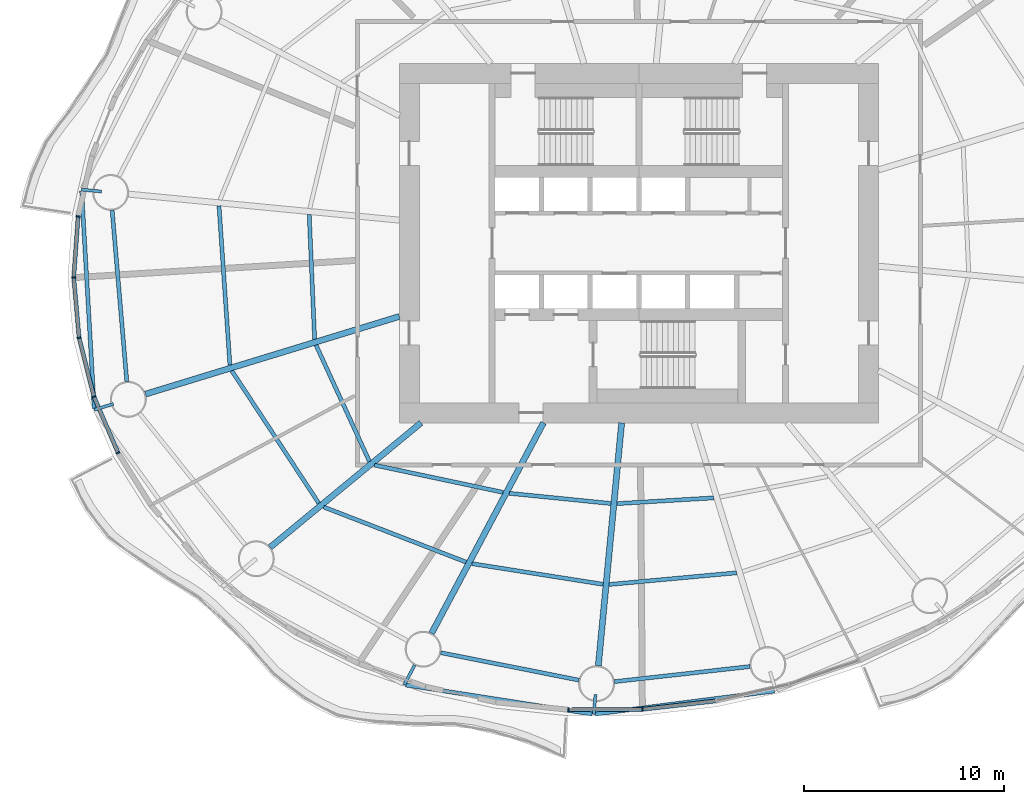
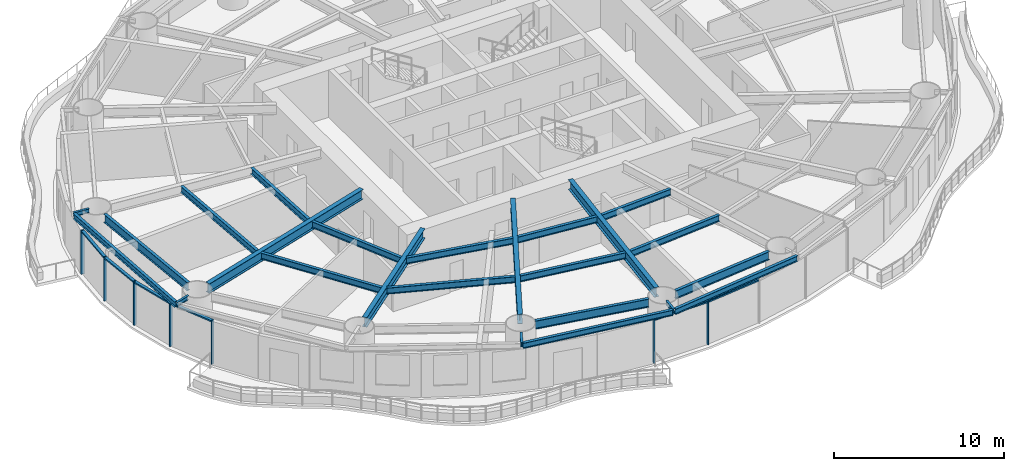
# One storey, part 2 of 16: 24 beams, 13 members, 6 elements without a shape of their own.
"""IFC4 building model written with IfcOpenShell, lengths in metres."""

from ifc_helpers import new_model, si_unit, direction, frame, origin, origin_2d, place, context, subcontext, project, spatial, rectangle, i_section, extrude, material, material_profile, profile_set, type_object, element, aggregate, save


model = new_model("IFC4")

# Units and contexts
model_context = context("Model", 3, precision=1e-05, world=origin(), true_north=direction((0.0, 1.0)))
body_context = subcontext(model_context, "Body", "Model", "MODEL_VIEW")
ifc_project = project(units=[si_unit("LENGTHUNIT", "METRE"), si_unit("AREAUNIT", "SQUARE_METRE"), si_unit("VOLUMEUNIT", "CUBIC_METRE"), si_unit("PLANEANGLEUNIT", "RADIAN"), si_unit("MASSUNIT", "GRAM", prefix="KILO")], contexts=[model_context])

# Site, building, storey
site_placement = place(None, origin())
site = spatial("IfcSite", under=ifc_project, at=site_placement, CompositionType="ELEMENT")
building_placement = place(site_placement, origin())
building = spatial("IfcBuilding", under=site, at=building_placement, Name="Vermilion Reach Broadcast Tower", CompositionType="ELEMENT")
storey_placement = place(building_placement, frame((0.0, 0.0, 73.0)))
storey = spatial("IfcBuildingStorey", under=building, at=storey_placement, Name="L15", CompositionType="ELEMENT", Elevation=73.0)

# Beams
ifc_material_1 = material(Name="Steel S355J2", Category="steel")
ifc_material_profile_1 = material_profile(ifc_material_1, i_section(OverallWidth=0.199951171875, OverallDepth=0.39990234375, WebThickness=0.008056640625, FlangeThickness=0.012939453125, at=origin_2d()), Name="S355J2 HN 400x200x8x13")
ifc_profile_set_1 = profile_set([ifc_material_profile_1], Name="Steel S355J2")
beam_type_1 = type_object("IfcBeamType", Name="EB1 HN 400x200x8x13", PredefinedType="BEAM", material=ifc_profile_set_1)
beam_1_placement = place(storey_placement, frame((-33.9150390625, 2.607666015625, 3.35009765625), z_axis=(0.057702623398, -0.998333815541, 0.0), x_axis=(0.998333815541, 0.057702623398, 0.0)))
element("IfcBeam", 1, at=beam_1_placement, inside=storey, type_object=beam_type_1, Name="Edge beam EB1-08", PredefinedType="BEAM", context=body_context, shape_type="SweptSolid", body=[
    extrude(i_section(OverallWidth=0.199951171875, OverallDepth=0.39990234375, WebThickness=0.008056640625, FlangeThickness=0.012939453125, at=origin_2d()), origin(), (0.0, 0.0, 1.0), 10.894775390625),
])
beam_2_placement = place(storey_placement, frame((-17.6787109375, -22.13330078125, 3.35009765625), z_axis=(0.988099806687, -0.153814082663, 0.0), x_axis=(0.153814082663, 0.988099806687, 0.0)))
element("IfcBeam", 2, at=beam_2_placement, inside=storey, type_object=beam_type_1, Name="Edge beam EB1-11", PredefinedType="BEAM", context=body_context, shape_type="SweptSolid", body=[
    extrude(i_section(OverallWidth=0.199951171875, OverallDepth=0.39990234375, WebThickness=0.008056640625, FlangeThickness=0.012939453125, at=origin_2d()), origin(), (0.0, 0.0, 1.0), 9.448974609375),
])
beam_3_placement = place(storey_placement, frame((-8.19189453125, -23.58837890625, 3.35009765625), z_axis=(0.991822756074, 0.127622962412, 0.0), x_axis=(-0.127622962412, 0.991822756074, 0.0)))
element("IfcBeam", 3, at=beam_3_placement, inside=storey, type_object=beam_type_1, Name="Edge beam EB1-12", PredefinedType="BEAM", context=body_context, shape_type="SweptSolid", body=[
    extrude(i_section(OverallWidth=0.199951171875, OverallDepth=0.39990234375, WebThickness=0.008056640625, FlangeThickness=0.012939453125, at=origin_2d()), origin(), (0.0, 0.0, 1.0), 9.05029296875),
])
ifc_material_2 = material(Name="Steel S355J2", Category="steel")
ifc_material_profile_2 = material_profile(ifc_material_2, i_section(OverallWidth=0.300048828125, OverallDepth=0.699951171875, WebThickness=0.012939453125, FlangeThickness=0.02392578125, at=origin_2d()), Name="S355J2 HN 700x300x13x24")
ifc_profile_set_2 = profile_set([ifc_material_profile_2], Name="Steel S355J2")
beam_type_2 = type_object("IfcBeamType", Name="G1 HN 700x300x13x24", PredefinedType="BEAM", material=ifc_profile_set_2)
beam_4_placement = place(storey_placement, frame((-18.0, -3.671142578125, 3.199951171875), z_axis=(-0.956255735186, -0.292531996409, 0.0), x_axis=(0.292531996409, -0.956255735186, 0.0)))
element("IfcBeam", 4, at=beam_4_placement, inside=storey, type_object=beam_type_2, Name="Girder G1-09", PredefinedType="BEAM", context=body_context, shape_type="SweptSolid", body=[
    extrude(i_section(OverallWidth=0.300048828125, OverallDepth=0.699951171875, WebThickness=0.012939453125, FlangeThickness=0.02392578125, at=origin_2d()), origin(), (0.0, 0.0, 1.0), 13.29638671875),
])
beam_5_placement = place(storey_placement, frame((-16.9140625, -9.0, 3.199951171875), z_axis=(-0.771514256373, -0.636212034005, 0.0), x_axis=(0.636212034005, -0.771514256373, 0.0)))
element("IfcBeam", 5, at=beam_5_placement, inside=storey, type_object=beam_type_2, Name="Girder G1-10", PredefinedType="BEAM", context=body_context, shape_type="SweptSolid", body=[
    extrude(i_section(OverallWidth=0.300048828125, OverallDepth=0.699951171875, WebThickness=0.012939453125, FlangeThickness=0.02392578125, at=origin_2d()), origin(), (0.0, 0.0, 1.0), 9.796142578125),
])
beam_6_placement = place(storey_placement, frame((-10.783447265625, -9.0, 3.199951171875), z_axis=(-0.469312182262, -0.883032318537, 0.0), x_axis=(0.883032318537, -0.469312182262, 0.0)))
element("IfcBeam", 6, at=beam_6_placement, inside=storey, type_object=beam_type_2, Name="Girder G1-11", PredefinedType="BEAM", context=body_context, shape_type="SweptSolid", body=[
    extrude(i_section(OverallWidth=0.300048828125, OverallDepth=0.699951171875, WebThickness=0.012939453125, FlangeThickness=0.02392578125, at=origin_2d()), origin(), (0.0, 0.0, 1.0), 11.94091796875),
])
beam_7_placement = place(storey_placement, frame((-6.864990234375, -9.0, 3.199951171875), z_axis=(-0.09566673912, -0.995413419151, 0.0), x_axis=(0.995413419151, -0.09566673912, 0.0)))
element("IfcBeam", 7, at=beam_7_placement, inside=storey, type_object=beam_type_2, Name="Girder G1-12", PredefinedType="BEAM", context=body_context, shape_type="SweptSolid", body=[
    extrude(i_section(OverallWidth=0.300048828125, OverallDepth=0.699951171875, WebThickness=0.012939453125, FlangeThickness=0.02392578125, at=origin_2d()), origin(), (0.0, 0.0, 1.0), 12.22412109375),
])
ifc_material_3 = material(Name="Steel S355J2", Category="steel")
ifc_material_profile_3 = material_profile(ifc_material_3, i_section(OverallWidth=0.14990234375, OverallDepth=0.300048828125, WebThickness=0.006591796875, FlangeThickness=0.009033203125, at=origin_2d()), Name="S355J2 HN 300x150x6.5x9")
ifc_profile_set_3 = profile_set([ifc_material_profile_3], Name="Steel S355J2")
beam_type_3 = type_object("IfcBeamType", Name="GS1 HN 300x150x6.5x9", PredefinedType="BEAM", material=ifc_profile_set_3)
for number, where, z_axis, x_axis, name in (
    (8, (-32.924072265625, 2.587646484375, 3.39990234375), (-0.995409476419, 0.095707754417, 0.0), (-0.095707754417, -0.995409476419, 0.0), "Cantilever stub GS1-08"),
    (9, (-32.32568359375, -8.0537109375, 3.39990234375), (-0.95627383467, -0.292472824594, 0.0), (0.292472824594, -0.95627383467, 0.0), "Cantilever stub GS1-09"),
):
    element("IfcBeam", number, at=place(storey_placement, frame(where, z_axis=z_axis, x_axis=x_axis)), inside=storey, type_object=beam_type_3, Name=name, PredefinedType="BEAM", context=body_context, shape_type="SweptSolid", body=[
        extrude(i_section(OverallWidth=0.14990234375, OverallDepth=0.300048828125, WebThickness=0.006591796875, FlangeThickness=0.009033203125, at=origin_2d()), origin(), (0.0, 0.0, 1.0), 1.0),
    ])
beam_8_placement = place(storey_placement, frame((-17.232177734375, -21.1337890625, 3.39990234375), z_axis=(-0.469431911588, -0.882968674633, 0.0), x_axis=(0.882968674633, -0.469431911588, 0.0)))
element("IfcBeam", 10, at=beam_8_placement, inside=storey, type_object=beam_type_3, Name="Cantilever stub GS1-11", PredefinedType="BEAM", context=body_context, shape_type="SweptSolid", body=[
    extrude(i_section(OverallWidth=0.14990234375, OverallDepth=0.300048828125, WebThickness=0.006591796875, FlangeThickness=0.009033203125, at=origin_2d()), origin(), (0.0, 0.0, 1.0), 1.1181640625),
])
beam_9_placement = place(storey_placement, frame((-8.17236328125, -22.602783203125, 3.39990234375), z_axis=(-0.095707754417, -0.995409476419, 0.0), x_axis=(0.995409476419, -0.095707754417, 0.0)))
element("IfcBeam", 11, at=beam_9_placement, inside=storey, type_object=beam_type_3, Name="Cantilever stub GS1-12", PredefinedType="BEAM", context=body_context, shape_type="SweptSolid", body=[
    extrude(i_section(OverallWidth=0.14990234375, OverallDepth=0.300048828125, WebThickness=0.006591796875, FlangeThickness=0.009033203125, at=origin_2d()), origin(), (0.0, 0.0, 1.0), 1.0),
])
ifc_material_4 = material(Name="Steel S355J2", Category="steel")
ifc_material_profile_4 = material_profile(ifc_material_4, i_section(OverallWidth=0.199951171875, OverallDepth=0.60009765625, WebThickness=0.010986328125, FlangeThickness=0.01708984375, at=origin_2d()), Name="S355J2 HN 600x200x11x17")
ifc_profile_set_4 = profile_set([ifc_material_profile_4], Name="Steel S355J2")
beam_type_4 = type_object("IfcBeamType", Name="RB1 HN 600x200x11x17", PredefinedType="BEAM", material=ifc_profile_set_4)
beam_10_placement = place(storey_placement, frame((-32.38720703125, 1.646728515625, 3.25), z_axis=(0.085395508608, -0.996347131832, 0.0), x_axis=(0.996347131832, 0.085395508608, 0.0)))
element("IfcBeam", 12, at=beam_10_placement, inside=storey, type_object=beam_type_4, Name="Ring beam RB1-08", PredefinedType="BEAM", context=body_context, shape_type="SweptSolid", body=[
    extrude(i_section(OverallWidth=0.199951171875, OverallDepth=0.60009765625, WebThickness=0.010986328125, FlangeThickness=0.01708984375, at=origin_2d()), origin(), (0.0, 0.0, 1.0), 8.60546875),
])
beam_11_placement = place(storey_placement, frame((-15.927001953125, -20.51416015625, 3.25), z_axis=(0.980857717995, -0.194725799651, 0.0), x_axis=(0.194725799651, 0.980857717995, 0.0)))
element("IfcBeam", 13, at=beam_11_placement, inside=storey, type_object=beam_type_4, Name="Ring beam RB1-11", PredefinedType="BEAM", context=body_context, shape_type="SweptSolid", body=[
    extrude(i_section(OverallWidth=0.199951171875, OverallDepth=0.60009765625, WebThickness=0.010986328125, FlangeThickness=0.01708984375, at=origin_2d()), origin(), (0.0, 0.0, 1.0), 7.05859375),
])
beam_12_placement = place(storey_placement, frame((-7.22607421875, -21.964111328125, 3.25), z_axis=(0.993851439324, 0.110721798009, 0.0), x_axis=(-0.110721798009, 0.993851439324, 0.0)))
element("IfcBeam", 14, at=beam_12_placement, inside=storey, type_object=beam_type_4, Name="Ring beam RB1-12", PredefinedType="BEAM", context=body_context, shape_type="SweptSolid", body=[
    extrude(i_section(OverallWidth=0.199951171875, OverallDepth=0.60009765625, WebThickness=0.010986328125, FlangeThickness=0.01708984375, at=origin_2d()), origin(), (0.0, 0.0, 1.0), 6.8310546875),
])
ifc_material_5 = material(Name="Steel S355J2", Category="steel")
ifc_material_profile_5 = material_profile(ifc_material_5, i_section(OverallWidth=0.199951171875, OverallDepth=0.449951171875, WebThickness=0.009033203125, FlangeThickness=0.013916015625, at=origin_2d()), Name="S355J2 HN 450x200x9x14")
ifc_profile_set_5 = profile_set([ifc_material_profile_5], Name="Steel S355J2")
beam_type_5 = type_object("IfcBeamType", Name="SB1 HN 450x200x9x14", PredefinedType="BEAM", material=ifc_profile_set_5)
beam_13_placement = place(storey_placement, frame((-22.51611328125, 1.436767578125, 3.324951171875), z_axis=(0.043361007512, -0.999059469215, 0.0), x_axis=(0.999059469215, 0.043361007512, 0.0)))
element("IfcBeam", 15, at=beam_13_placement, inside=storey, type_object=beam_type_5, Name="Secondary beam SB1-08-1", PredefinedType="BEAM", context=body_context, shape_type="SweptSolid", body=[
    extrude(i_section(OverallWidth=0.199951171875, OverallDepth=0.449951171875, WebThickness=0.009033203125, FlangeThickness=0.013916015625, at=origin_2d()), origin(), (0.0, 0.0, 1.0), 6.25537109375),
])
beam_14_placement = place(storey_placement, frame((-27.03515625, 1.87109375, 3.324951171875), z_axis=(0.068507801475, -0.997650580683, 0.0), x_axis=(0.997650580683, 0.068507801475, 0.0)))
element("IfcBeam", 16, at=beam_14_placement, inside=storey, type_object=beam_type_5, Name="Secondary beam SB1-08-2", PredefinedType="BEAM", context=body_context, shape_type="SweptSolid", body=[
    extrude(i_section(OverallWidth=0.199951171875, OverallDepth=0.449951171875, WebThickness=0.009033203125, FlangeThickness=0.013916015625, at=origin_2d()), origin(), (0.0, 0.0, 1.0), 8.00048828125),
])
beam_15_placement = place(storey_placement, frame((-22.175048828125, -5.105224609375, 3.324951171875), z_axis=(0.417211452529, -0.908809443106, 0.0), x_axis=(0.908809443106, 0.417211452529, 0.0)))
element("IfcBeam", 17, at=beam_15_placement, inside=storey, type_object=beam_type_5, Name="Secondary beam SB1-09-1", PredefinedType="BEAM", context=body_context, shape_type="SweptSolid", body=[
    extrude(i_section(OverallWidth=0.199951171875, OverallDepth=0.449951171875, WebThickness=0.009033203125, FlangeThickness=0.013916015625, at=origin_2d()), origin(), (0.0, 0.0, 1.0), 6.41650390625),
])
beam_16_placement = place(storey_placement, frame((-26.390625, -6.394775390625, 3.324951171875), z_axis=(0.548800909102, -0.835953086105, 0.0), x_axis=(0.835953086105, 0.548800909102, 0.0)))
element("IfcBeam", 18, at=beam_16_placement, inside=storey, type_object=beam_type_5, Name="Secondary beam SB1-09-2", PredefinedType="BEAM", context=body_context, shape_type="SweptSolid", body=[
    extrude(i_section(OverallWidth=0.199951171875, OverallDepth=0.449951171875, WebThickness=0.009033203125, FlangeThickness=0.013916015625, at=origin_2d()), origin(), (0.0, 0.0, 1.0), 7.935791015625),
])
beam_17_placement = place(storey_placement, frame((-19.24560546875, -11.1171875, 3.324951171875), z_axis=(0.978270372412, -0.207333254596, 0.0), x_axis=(0.207333254596, 0.978270372412, 0.0)))
element("IfcBeam", 19, at=beam_17_placement, inside=storey, type_object=beam_type_5, Name="Secondary beam SB1-10-1", PredefinedType="BEAM", context=body_context, shape_type="SweptSolid", body=[
    extrude(i_section(OverallWidth=0.199951171875, OverallDepth=0.449951171875, WebThickness=0.009033203125, FlangeThickness=0.013916015625, at=origin_2d()), origin(), (0.0, 0.0, 1.0), 6.584716796875),
])
beam_18_placement = place(storey_placement, frame((-21.7919921875, -13.217041015625, 3.324951171875), z_axis=(0.932680743753, -0.360702966765, 0.0), x_axis=(0.360702966765, 0.932680743753, 0.0)))
element("IfcBeam", 20, at=beam_18_placement, inside=storey, type_object=beam_type_5, Name="Secondary beam SB1-10-2", PredefinedType="BEAM", context=body_context, shape_type="SweptSolid", body=[
    extrude(i_section(OverallWidth=0.199951171875, OverallDepth=0.449951171875, WebThickness=0.009033203125, FlangeThickness=0.013916015625, at=origin_2d()), origin(), (0.0, 0.0, 1.0), 7.646240234375),
])
beam_19_placement = place(storey_placement, frame((-12.490234375, -12.531005859375, 3.324951171875), z_axis=(0.995010199331, -0.099773259079, 0.0), x_axis=(0.099773259079, 0.995010199331, 0.0)))
element("IfcBeam", 21, at=beam_19_placement, inside=storey, type_object=beam_type_5, Name="Secondary beam SB1-11-1", PredefinedType="BEAM", context=body_context, shape_type="SweptSolid", body=[
    extrude(i_section(OverallWidth=0.199951171875, OverallDepth=0.449951171875, WebThickness=0.009033203125, FlangeThickness=0.013916015625, at=origin_2d()), origin(), (0.0, 0.0, 1.0), 5.111572265625),
])
beam_20_placement = place(storey_placement, frame((-14.36279296875, -16.05419921875, 3.324951171875), z_axis=(0.987829548379, -0.155540294938, 0.0), x_axis=(0.155540294938, 0.987829548379, 0.0)))
element("IfcBeam", 22, at=beam_20_placement, inside=storey, type_object=beam_type_5, Name="Secondary beam SB1-11-2", PredefinedType="BEAM", context=body_context, shape_type="SweptSolid", body=[
    extrude(i_section(OverallWidth=0.199951171875, OverallDepth=0.449951171875, WebThickness=0.009033203125, FlangeThickness=0.013916015625, at=origin_2d()), origin(), (0.0, 0.0, 1.0), 6.650634765625),
])
beam_21_placement = place(storey_placement, frame((-7.103271484375, -13.046875, 3.324951171875), z_axis=(0.99823410974, 0.059402543307, 0.0), x_axis=(-0.059402543307, 0.99823410974, 0.0)))
element("IfcBeam", 23, at=beam_21_placement, inside=storey, type_object=beam_type_5, Name="Secondary beam SB1-12-1", PredefinedType="BEAM", context=body_context, shape_type="SweptSolid", body=[
    extrude(i_section(OverallWidth=0.199951171875, OverallDepth=0.449951171875, WebThickness=0.009033203125, FlangeThickness=0.013916015625, at=origin_2d()), origin(), (0.0, 0.0, 1.0), 4.85791015625),
])
beam_22_placement = place(storey_placement, frame((-7.49267578125, -17.09814453125, 3.324951171875), z_axis=(0.995818616382, 0.091352521952, 0.0), x_axis=(-0.091352521952, 0.995818616382, 0.0)))
element("IfcBeam", 24, at=beam_22_placement, inside=storey, type_object=beam_type_5, Name="Secondary beam SB1-12-2", PredefinedType="BEAM", context=body_context, shape_type="SweptSolid", body=[
    extrude(i_section(OverallWidth=0.199951171875, OverallDepth=0.449951171875, WebThickness=0.009033203125, FlangeThickness=0.013916015625, at=origin_2d()), origin(), (0.0, 0.0, 1.0), 6.4140625),
])

# Curtain wall, member
ifc_material_6 = material(Name="Low-e laminated clear glass in aluminium frame", Category="aluminium")
curtain_wall_type = type_object("IfcCurtainWallType", Name="Slot curtain wall", PredefinedType="NOTDEFINED", material=ifc_material_6)
placement = place(storey_placement, origin())
curtain_wall_1 = element("IfcCurtainWall", 25, at=placement, inside=storey, type_object=curtain_wall_type, Name="Slot curtain wall L15 22", PredefinedType="NOTDEFINED")
ifc_material_7 = material(Name="Anodised aluminium", Category="aluminium")
ifc_material_profile_6 = material_profile(ifc_material_7, rectangle(XDim=0.199951171875, YDim=0.080078125, at=origin_2d()), Name="Slot mullion 80 x 200")
ifc_profile_set_6 = profile_set([ifc_material_profile_6], Name="Anodised aluminium")
member_type_1 = type_object("IfcMemberType", Name="Slot mullion 80 x 200", PredefinedType="MULLION", material=ifc_profile_set_6)
member_1_placement = place(storey_placement, frame((-34.09375, 1.336181640625, 0.0), z_axis=(0.0, 0.0, 1.0), x_axis=(0.989084318095, -0.147350642003, 0.0)))
member_1 = element("IfcMember", 26, at=member_1_placement, type_object=member_type_1, Name="Slot mullion L15 22", PredefinedType="MULLION", context=body_context, shape_type="SweptSolid", body=[
    extrude(rectangle(XDim=0.199951171875, YDim=0.080078125, at=origin_2d()), origin(), (0.0, 0.0, 1.0), 3.14990234375),
])

curtain_wall_2 = element("IfcCurtainWall", 27, at=placement, inside=storey, type_object=curtain_wall_type, Name="Slot curtain wall L15 23", PredefinedType="NOTDEFINED")
member_2_placement = place(storey_placement, frame((-34.309814453125, -1.71875, 0.0), z_axis=(0.0, 0.0, 1.0), x_axis=(0.999963263674, 0.008571540211, 0.0)))
member_2 = element("IfcMember", 28, at=member_2_placement, type_object=member_type_1, Name="Slot mullion L15 23", PredefinedType="MULLION", context=body_context, shape_type="SweptSolid", body=[
    extrude(rectangle(XDim=0.199951171875, YDim=0.080078125, at=origin_2d()), origin(), (0.0, 0.0, 1.0), 3.14990234375),
])

curtain_wall_3 = element("IfcCurtainWall", 29, at=placement, inside=storey, type_object=curtain_wall_type, Name="Slot curtain wall L15 24", PredefinedType="NOTDEFINED")
member_3_placement = place(storey_placement, frame((-34.0439453125, -4.7431640625, 0.0), z_axis=(0.0, 0.0, 1.0), x_axis=(0.985996034163, 0.166768763908, 0.0)))
member_3 = element("IfcMember", 30, at=member_3_placement, type_object=member_type_1, Name="Slot mullion L15 24", PredefinedType="MULLION", context=body_context, shape_type="SweptSolid", body=[
    extrude(rectangle(XDim=0.199951171875, YDim=0.080078125, at=origin_2d()), origin(), (0.0, 0.0, 1.0), 3.14990234375),
])

# Curtain wall, members
curtain_wall_4 = element("IfcCurtainWall", 31, at=placement, inside=storey, type_object=curtain_wall_type, Name="Slot curtain wall L15 25", PredefinedType="NOTDEFINED")
member_4_placement = place(storey_placement, frame((-33.30029296875, -7.687255859375, 0.0), z_axis=(0.0, 0.0, 1.0), x_axis=(0.947160548243, 0.32075987257, 0.0)))
member_4 = element("IfcMember", 32, at=member_4_placement, type_object=member_type_1, Name="Slot mullion L15 25", PredefinedType="MULLION", context=body_context, shape_type="SweptSolid", body=[
    extrude(rectangle(XDim=0.199951171875, YDim=0.080078125, at=origin_2d()), origin(), (0.0, 0.0, 1.0), 3.14990234375),
])
member_5_placement = place(storey_placement, frame((-32.091796875, -10.5009765625, 0.0), z_axis=(0.0, 0.0, 1.0), x_axis=(0.885609119893, 0.464431358504, 0.0)))
member_5 = element("IfcMember", 33, at=member_5_placement, type_object=member_type_1, Name="Slot mullion L15 26", PredefinedType="MULLION", context=body_context, shape_type="SweptSolid", body=[
    extrude(rectangle(XDim=0.199951171875, YDim=0.080078125, at=origin_2d()), origin(), (0.0, 0.0, 1.0), 3.14990234375),
])

# Curtain wall, member
curtain_wall_5 = element("IfcCurtainWall", 34, at=placement, inside=storey, type_object=curtain_wall_type, Name="Slot curtain wall L15 34", PredefinedType="NOTDEFINED")
member_6_placement = place(storey_placement, frame((-9.5263671875, -23.372314453125, 0.0), z_axis=(0.0, 0.0, 1.0), x_axis=(0.048867163213, 0.99880528651, 0.0)))
member_6 = element("IfcMember", 35, at=member_6_placement, type_object=member_type_1, Name="Slot mullion L15 34", PredefinedType="MULLION", context=body_context, shape_type="SweptSolid", body=[
    extrude(rectangle(XDim=0.199951171875, YDim=0.080078125, at=origin_2d()), origin(), (0.0, 0.0, 1.0), 3.14990234375),
])

curtain_wall_6 = element("IfcCurtainWall", 36, at=placement, inside=storey, type_object=curtain_wall_type, Name="Slot curtain wall L15 35", PredefinedType="NOTDEFINED")
member_7_placement = place(storey_placement, frame((-5.82275390625, -23.350341796875, 0.0), z_axis=(0.0, 0.0, 1.0), x_axis=(-0.059899967374, 0.998204384837, 0.0)))
member_7 = element("IfcMember", 37, at=member_7_placement, type_object=member_type_1, Name="Slot mullion L15 35", PredefinedType="MULLION", context=body_context, shape_type="SweptSolid", body=[
    extrude(rectangle(XDim=0.199951171875, YDim=0.080078125, at=origin_2d()), origin(), (0.0, 0.0, 1.0), 3.14990234375),
])

# Member
ifc_material_8 = material(Name="Anodised aluminium", Category="aluminium")
ifc_material_profile_7 = material_profile(ifc_material_8, rectangle(XDim=0.199951171875, YDim=0.10009765625, at=origin_2d()), Name="Slot transom 200 x 100")
ifc_profile_set_7 = profile_set([ifc_material_profile_7], Name="Anodised aluminium")
member_type_2 = type_object("IfcMemberType", Name="Slot transom 200 x 100", PredefinedType="USERDEFINED", material=ifc_profile_set_7)
member_8_placement = place(storey_placement, frame((-34.0966796875, 1.296142578125, 3.10009765625), z_axis=(-0.07056636102, -0.997507087039, 0.0), x_axis=(0.997507087039, -0.07056636102, 0.0)))
member_8 = element("IfcMember", 38, at=member_8_placement, type_object=member_type_2, Name="Slot transom L15 22.1", ObjectType="TRANSOM", PredefinedType="USERDEFINED", context=body_context, shape_type="SweptSolid", body=[
    extrude(rectangle(XDim=0.199951171875, YDim=0.10009765625, at=origin_2d()), origin(), (0.0, 0.0, 1.0), 2.982177734375),
])

aggregate(curtain_wall_1, [member_1, member_8])

member_9_placement = place(storey_placement, frame((-34.306396484375, -1.758544921875, 3.10009765625), z_axis=(0.087623860375, -0.996153632274, 0.0), x_axis=(0.996153632274, 0.087623860375, 0.0)))
member_9 = element("IfcMember", 39, at=member_9_placement, type_object=member_type_2, Name="Slot transom L15 23.1", ObjectType="TRANSOM", PredefinedType="USERDEFINED", context=body_context, shape_type="SweptSolid", body=[
    extrude(rectangle(XDim=0.199951171875, YDim=0.10009765625, at=origin_2d()), origin(), (0.0, 0.0, 1.0), 2.956298828125),
])

aggregate(curtain_wall_2, [member_2, member_9])

member_10_placement = place(storey_placement, frame((-34.033935546875, -4.781982421875, 3.10009765625), z_axis=(0.244847152114, -0.969561690715, 0.0), x_axis=(0.969561690715, 0.244847152114, 0.0)))
member_10 = element("IfcMember", 40, at=member_10_placement, type_object=member_type_2, Name="Slot transom L15 24.1", ObjectType="TRANSOM", PredefinedType="USERDEFINED", context=body_context, shape_type="SweptSolid", body=[
    extrude(rectangle(XDim=0.199951171875, YDim=0.10009765625, at=origin_2d()), origin(), (0.0, 0.0, 1.0), 2.95654296875),
])

aggregate(curtain_wall_3, [member_3, member_10])

member_11_placement = place(storey_placement, frame((-33.28466796875, -7.723876953125, 3.10009765625), z_axis=(0.394660169321, -0.918827160434, 0.0), x_axis=(0.918827160434, 0.394660169321, 0.0)))
member_11 = element("IfcMember", 41, at=member_11_placement, type_object=member_type_2, Name="Slot transom L15 25.1", ObjectType="TRANSOM", PredefinedType="USERDEFINED", context=body_context, shape_type="SweptSolid", body=[
    extrude(rectangle(XDim=0.199951171875, YDim=0.10009765625, at=origin_2d()), origin(), (0.0, 0.0, 1.0), 2.982421875),
])

aggregate(curtain_wall_4, [member_4, member_5, member_11])

member_12_placement = place(storey_placement, frame((-9.486328125, -23.3720703125, 3.10009765625), z_axis=(0.999982423231, 0.00592901585, 0.0), x_axis=(-0.00592901585, 0.999982423231, 0.0)))
member_12 = element("IfcMember", 42, at=member_12_placement, type_object=member_type_2, Name="Slot transom L15 34.1", ObjectType="TRANSOM", PredefinedType="USERDEFINED", context=body_context, shape_type="SweptSolid", body=[
    extrude(rectangle(XDim=0.199951171875, YDim=0.10009765625, at=origin_2d()), origin(), (0.0, 0.0, 1.0), 3.62353515625),
])

aggregate(curtain_wall_5, [member_6, member_12])

member_13_placement = place(storey_placement, frame((-5.783203125, -23.345703125, 3.10009765625), z_axis=(0.993519064368, 0.113665600501, 0.0), x_axis=(-0.113665600501, 0.993519064368, 0.0)))
member_13 = element("IfcMember", 43, at=member_13_placement, type_object=member_type_2, Name="Slot transom L15 35.1", ObjectType="TRANSOM", PredefinedType="USERDEFINED", context=body_context, shape_type="SweptSolid", body=[
    extrude(rectangle(XDim=0.199951171875, YDim=0.10009765625, at=origin_2d()), origin(), (0.0, 0.0, 1.0), 3.64501953125),
])

aggregate(curtain_wall_6, [member_7, member_13])

save(model, "model.ifc")
